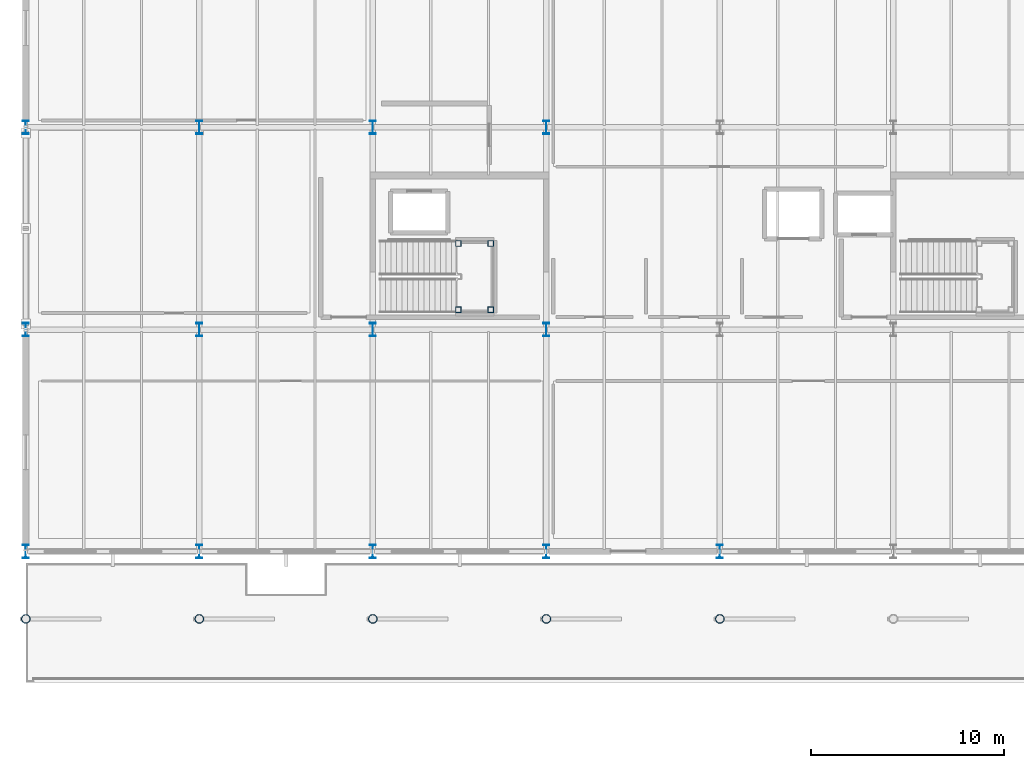
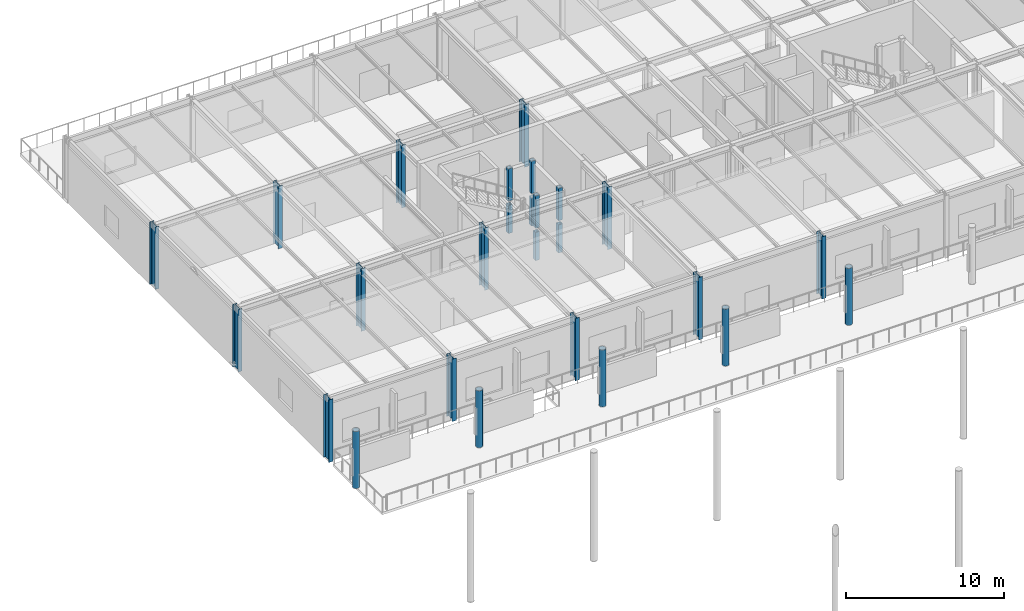
# One storey, part 9 of 143: 26 columns.
"""IFC4 building model written with IfcOpenShell, lengths in metres."""

from ifc_helpers import new_model, si_unit, direction, frame, origin, origin_2d, place, context, subcontext, project, spatial, hollow_rectangle, hollow_circle, i_section, extrude, material, material_profile, profile_set, type_object, element, save


model = new_model("IFC4")

# Units and contexts
model_context = context("Model", 3, precision=1e-05, world=origin(), true_north=direction((0.0, 1.0)))
body_context = subcontext(model_context, "Body", "Model", "MODEL_VIEW")
ifc_project = project(units=[si_unit("LENGTHUNIT", "METRE"), si_unit("AREAUNIT", "SQUARE_METRE"), si_unit("VOLUMEUNIT", "CUBIC_METRE"), si_unit("PLANEANGLEUNIT", "RADIAN"), si_unit("MASSUNIT", "GRAM", prefix="KILO")], contexts=[model_context])

# Site, building, storey
site_placement = place(None, origin())
site = spatial("IfcSite", under=ifc_project, at=site_placement, CompositionType="ELEMENT")
building_placement = place(site_placement, origin())
building = spatial("IfcBuilding", under=site, at=building_placement, Name="Marlcrest Central Station", CompositionType="ELEMENT")
storey_placement = place(building_placement, frame((0.0, 0.0, 4.800048828125)))
storey = spatial("IfcBuildingStorey", under=building, at=storey_placement, Name="L01", CompositionType="ELEMENT", Elevation=4.800048828125)

# Columns
ifc_material = material(Name="Steel S355", Category="steel")
ifc_material_profile_1 = material_profile(ifc_material, i_section(OverallWidth=0.300048828125, OverallDepth=0.699951171875, WebThickness=0.01708984375, FlangeThickness=0.031982421875, FilletRadius=0.027099609375, at=origin_2d()), Name="HEB 700")
ifc_profile_set_1 = profile_set([ifc_material_profile_1], Name="Steel S355")
column_type_1 = type_object("IfcColumnType", Name="SC-07", PredefinedType="COLUMN", material=ifc_profile_set_1)
for number, where, z_axis, x_axis, name in (
    (1, (0.0, 99.0, 0.0), (0.0, 0.0, 1.0), (1.0, 0.0, 0.0), "col-SC-07-L01-0077"),
    (2, (0.0, 110.5, 0.0), (0.0, 0.0, 1.0), (1.0, 0.0, 0.0), "col-SC-07-L01-0078"),
    (3, (0.0, 121.0, 0.0), (0.0, 0.0, 1.0), (1.0, 0.0, 0.0), "col-SC-07-L01-0079"),
    (4, (9.0, 99.0, 0.0), (0.0, 0.0, 1.0), (1.0, 0.0, 0.0), "col-SC-07-L01-0081"),
    (5, (9.0, 110.5, 0.0), (0.0, 0.0, 1.0), (1.0, 0.0, 0.0), "col-SC-07-L01-0082"),
    (6, (9.0, 121.0, 0.0), (0.0, 0.0, 1.0), (1.0, 0.0, 0.0), "col-SC-07-L01-0083"),
    (7, (18.0, 99.0, 0.0), (0.0, 0.0, 1.0), (1.0, 0.0, 0.0), "col-SC-07-L01-0085"),
    (8, (18.0, 110.5, 0.0), (0.0, 0.0, 1.0), (1.0, 0.0, 0.0), "col-SC-07-L01-0086"),
    (9, (18.0, 121.0, 0.0), (0.0, 0.0, 1.0), (1.0, 0.0, 0.0), "col-SC-07-L01-0087"),
    (10, (27.0, 99.0, 0.0), (0.0, 0.0, 1.0), (1.0, 0.0, 0.0), "col-SC-07-L01-0089"),
    (11, (27.0, 110.5, 0.0), (0.0, 0.0, 1.0), (1.0, 0.0, 0.0), "col-SC-07-L01-0090"),
    (12, (27.0, 121.0, 0.0), (0.0, 0.0, 1.0), (1.0, 0.0, 0.0), "col-SC-07-L01-0091"),
    (13, (36.0, 99.0, 0.0), (0.0, 0.0, 1.0), (1.0, 0.0, 0.0), "col-SC-07-L01-0093"),
):
    element("IfcColumn", number, at=place(storey_placement, frame(where, z_axis=z_axis, x_axis=x_axis)), inside=storey, type_object=column_type_1, Name=name, PredefinedType="COLUMN", context=body_context, shape_type="SweptSolid", body=[
        extrude(i_section(OverallWidth=0.300048828125, OverallDepth=0.699951171875, WebThickness=0.01708984375, FlangeThickness=0.031982421875, FilletRadius=0.027099609375, at=origin_2d()), origin(), (0.0, 0.0, 1.0), 4.820068359375),
    ])
ifc_material_profile_2 = material_profile(ifc_material, hollow_circle(Radius=0.228515625, WallThickness=0.02001953125, at=origin_2d()), Name="CHS 457x20")
ifc_profile_set_2 = profile_set([ifc_material_profile_2], Name="Steel S355")
column_type_2 = type_object("IfcColumnType", Name="SC-11", PredefinedType="COLUMN", material=ifc_profile_set_2)
for number, where, z_axis, x_axis, name in (
    (14, (0.0, 95.5, 0.0), (0.0, 0.0, 1.0), (1.0, 0.0, 0.0), "col-SC-11-L01-0421"),
    (15, (9.0, 95.5, 0.0), (0.0, 0.0, 1.0), (1.0, 0.0, 0.0), "col-SC-11-L01-0431"),
    (16, (18.0, 95.5, 0.0), (0.0, 0.0, 1.0), (1.0, 0.0, 0.0), "col-SC-11-L01-0441"),
    (17, (27.0, 95.5, 0.0), (0.0, 0.0, 1.0), (1.0, 0.0, 0.0), "col-SC-11-L01-0451"),
    (18, (36.0, 95.5, 0.0), (0.0, 0.0, 1.0), (1.0, 0.0, 0.0), "col-SC-11-L01-0461"),
):
    element("IfcColumn", number, at=place(storey_placement, frame(where, z_axis=z_axis, x_axis=x_axis)), inside=storey, type_object=column_type_2, Name=name, PredefinedType="COLUMN", context=body_context, shape_type="SweptSolid", body=[
        extrude(hollow_circle(Radius=0.228515625, WallThickness=0.02001953125, at=origin_2d()), origin(), (0.0, 0.0, 1.0), 4.39990234375),
    ])
ifc_material_profile_3 = material_profile(ifc_material, hollow_rectangle(XDim=0.300048828125, YDim=0.300048828125, WallThickness=0.01611328125, at=origin_2d()), Name="SHS 300x300x16")
ifc_profile_set_3 = profile_set([ifc_material_profile_3], Name="Steel S355")
column_type_3 = type_object("IfcColumnType", Name="SC-19", PredefinedType="COLUMN", material=ifc_profile_set_3)
column_1_placement = place(storey_placement, frame((22.43994140625, 111.530029296875, 0.0), z_axis=(0.0, 0.0, 1.0), x_axis=(1.0, 0.0, 0.0)))
element("IfcColumn", 19, at=column_1_placement, inside=storey, type_object=column_type_3, Name="htcol-lo-0046-0", PredefinedType="COLUMN", context=body_context, shape_type="SweptSolid", body=[
    extrude(hollow_rectangle(XDim=0.300048828125, YDim=0.300048828125, WallThickness=0.01611328125, at=origin_2d()), origin(), (0.0, 0.0, 1.0), 2.179931640625),
])
column_2_placement = place(storey_placement, frame((22.43994140625, 111.530029296875, 2.5), z_axis=(0.0, 0.0, 1.0), x_axis=(1.0, 0.0, 0.0)))
element("IfcColumn", 20, at=column_2_placement, inside=storey, type_object=column_type_3, Name="htcol-hi-0046-0", PredefinedType="COLUMN", context=body_context, shape_type="SweptSolid", body=[
    extrude(hollow_rectangle(XDim=0.300048828125, YDim=0.300048828125, WallThickness=0.01611328125, at=origin_2d()), origin(), (0.0, 0.0, 1.0), 2.5),
])
column_3_placement = place(storey_placement, frame((24.1201171875, 111.530029296875, 0.0), z_axis=(0.0, 0.0, 1.0), x_axis=(1.0, 0.0, 0.0)))
element("IfcColumn", 21, at=column_3_placement, inside=storey, type_object=column_type_3, Name="htcol-lo-0046-1", PredefinedType="COLUMN", context=body_context, shape_type="SweptSolid", body=[
    extrude(hollow_rectangle(XDim=0.300048828125, YDim=0.300048828125, WallThickness=0.01611328125, at=origin_2d()), origin(), (0.0, 0.0, 1.0), 2.179931640625),
])
column_4_placement = place(storey_placement, frame((24.1201171875, 111.530029296875, 2.5), z_axis=(0.0, 0.0, 1.0), x_axis=(1.0, 0.0, 0.0)))
element("IfcColumn", 22, at=column_4_placement, inside=storey, type_object=column_type_3, Name="htcol-hi-0046-1", PredefinedType="COLUMN", context=body_context, shape_type="SweptSolid", body=[
    extrude(hollow_rectangle(XDim=0.300048828125, YDim=0.300048828125, WallThickness=0.01611328125, at=origin_2d()), origin(), (0.0, 0.0, 1.0), 2.5),
])
column_5_placement = place(storey_placement, frame((24.1201171875, 114.969970703125, 0.0), z_axis=(0.0, 0.0, 1.0), x_axis=(1.0, 0.0, 0.0)))
element("IfcColumn", 23, at=column_5_placement, inside=storey, type_object=column_type_3, Name="htcol-lo-0046-2", PredefinedType="COLUMN", context=body_context, shape_type="SweptSolid", body=[
    extrude(hollow_rectangle(XDim=0.300048828125, YDim=0.300048828125, WallThickness=0.01611328125, at=origin_2d()), origin(), (0.0, 0.0, 1.0), 2.179931640625),
])
column_6_placement = place(storey_placement, frame((24.1201171875, 114.969970703125, 2.5), z_axis=(0.0, 0.0, 1.0), x_axis=(1.0, 0.0, 0.0)))
element("IfcColumn", 24, at=column_6_placement, inside=storey, type_object=column_type_3, Name="htcol-hi-0046-2", PredefinedType="COLUMN", context=body_context, shape_type="SweptSolid", body=[
    extrude(hollow_rectangle(XDim=0.300048828125, YDim=0.300048828125, WallThickness=0.01611328125, at=origin_2d()), origin(), (0.0, 0.0, 1.0), 2.5),
])
column_7_placement = place(storey_placement, frame((22.43994140625, 114.969970703125, 0.0), z_axis=(0.0, 0.0, 1.0), x_axis=(1.0, 0.0, 0.0)))
element("IfcColumn", 25, at=column_7_placement, inside=storey, type_object=column_type_3, Name="htcol-lo-0046-3", PredefinedType="COLUMN", context=body_context, shape_type="SweptSolid", body=[
    extrude(hollow_rectangle(XDim=0.300048828125, YDim=0.300048828125, WallThickness=0.01611328125, at=origin_2d()), origin(), (0.0, 0.0, 1.0), 2.179931640625),
])
column_8_placement = place(storey_placement, frame((22.43994140625, 114.969970703125, 2.5), z_axis=(0.0, 0.0, 1.0), x_axis=(1.0, 0.0, 0.0)))
element("IfcColumn", 26, at=column_8_placement, inside=storey, type_object=column_type_3, Name="htcol-hi-0046-3", PredefinedType="COLUMN", context=body_context, shape_type="SweptSolid", body=[
    extrude(hollow_rectangle(XDim=0.300048828125, YDim=0.300048828125, WallThickness=0.01611328125, at=origin_2d()), origin(), (0.0, 0.0, 1.0), 2.5),
])

save(model, "model.ifc")
